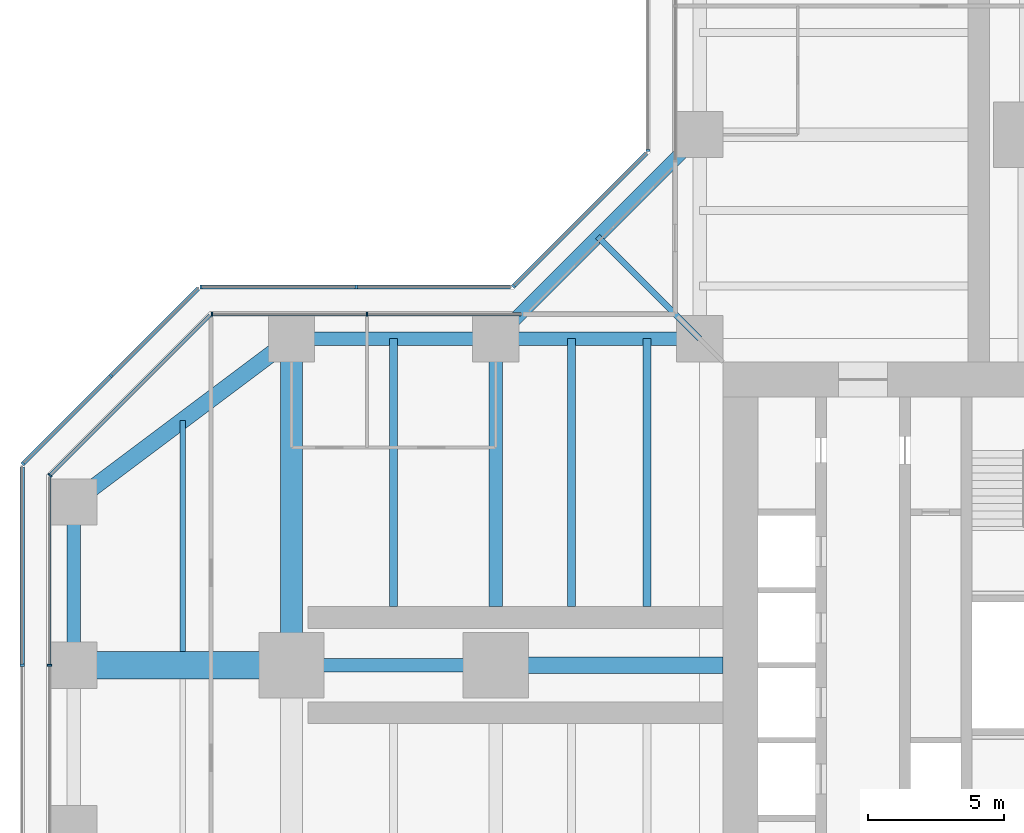
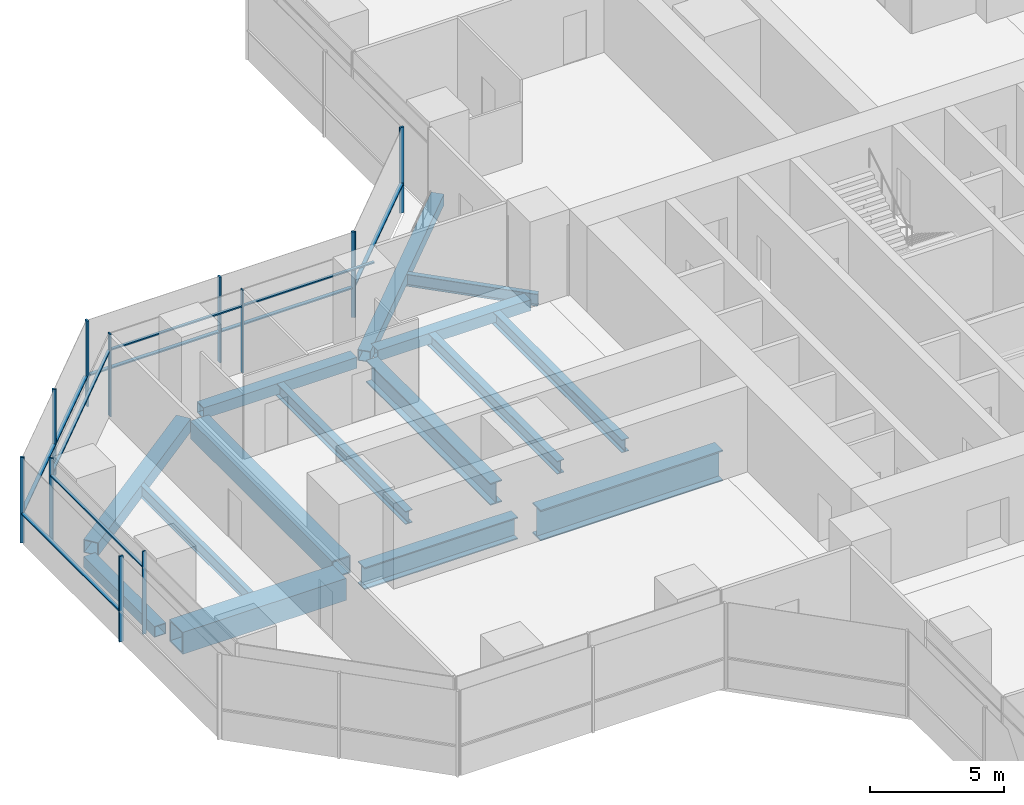
# One storey, part 8 of 22: 21 members, 15 beams, 8 elements without a shape of their own.
"""IFC4 building model written with IfcOpenShell, lengths in metres."""

from ifc_helpers import new_model, si_unit, direction, frame, origin, origin_2d, place, context, subcontext, project, spatial, rectangle, hollow_rectangle, i_section, extrude, material, material_profile, profile_set, type_object, element, aggregate, save


model = new_model("IFC4")

# Units and contexts
model_context = context("Model", 3, precision=1e-05, world=origin(), true_north=direction((0.0, 1.0)))
body_context = subcontext(model_context, "Body", "Model", "MODEL_VIEW")
ifc_project = project(units=[si_unit("LENGTHUNIT", "METRE"), si_unit("AREAUNIT", "SQUARE_METRE"), si_unit("VOLUMEUNIT", "CUBIC_METRE"), si_unit("PLANEANGLEUNIT", "RADIAN"), si_unit("MASSUNIT", "GRAM", prefix="KILO")], contexts=[model_context])

# Site, building, storey
site_placement = place(None, origin())
site = spatial("IfcSite", under=ifc_project, at=site_placement, CompositionType="ELEMENT")
building_placement = place(site_placement, origin())
building = spatial("IfcBuilding", under=site, at=building_placement, Name="Mizan Broadcast Tower", CompositionType="ELEMENT")
storey_placement = place(building_placement, frame((0.0, 0.0, 82.5)))
storey = spatial("IfcBuildingStorey", under=building, at=storey_placement, Name="L17", CompositionType="ELEMENT", Elevation=82.5)

# Beams
ifc_material_1 = material(Name="Steel S355", Category="steel")
ifc_material_profile_1 = material_profile(ifc_material_1, hollow_rectangle(XDim=0.5, YDim=0.5, WallThickness=0.030029296875, at=origin_2d()), Name="BOX 500x500x30")
ifc_profile_set_1 = profile_set([ifc_material_profile_1], Name="Steel S355")
beam_type_1 = type_object("IfcBeamType", Name="EDGE BEAM BOX 500x500x30", PredefinedType="SPANDREL", material=ifc_profile_set_1)
for number, where, z_axis, x_axis, name in (
    (1, (-12.449951171875, 12.0, -0.3798828125), (-1.0, 0.0, 0.0), (0.0, -1.0, 0.0), "Edge beam BOX 500x500x30 L17 west arm"),
    (2, (-19.949951171875, 12.0, -0.3798828125), (-1.0, 0.0, 0.0), (0.0, -1.0, 0.0), "Edge beam BOX 500x500x30 L17 west arm"),
):
    element("IfcBeam", number, at=place(storey_placement, frame(where, z_axis=z_axis, x_axis=x_axis)), inside=storey, type_object=beam_type_1, Name=name, PredefinedType="SPANDREL", context=body_context, shape_type="SweptSolid", body=[
        extrude(hollow_rectangle(XDim=0.5, YDim=0.5, WallThickness=0.030029296875, at=origin_2d()), origin(), (0.0, 0.0, 1.0), 6.60009765625),
    ])
beam_1_placement = place(storey_placement, frame((-35.0, 5.639892578125, -0.3798828125), z_axis=(0.0, -1.0, 0.0), x_axis=(1.0, 0.0, 0.0)))
element("IfcBeam", 3, at=beam_1_placement, inside=storey, type_object=beam_type_1, Name="Edge beam BOX 500x500x30 L17 west arm", PredefinedType="SPANDREL", context=body_context, shape_type="SweptSolid", body=[
    extrude(hollow_rectangle(XDim=0.5, YDim=0.5, WallThickness=0.030029296875, at=origin_2d()), origin(), (0.0, 0.0, 1.0), 5.27978515625),
])
beam_2_placement = place(storey_placement, frame((-12.0, 19.5, -0.3798828125), z_axis=(-0.707106781187, -0.707106781187, 0.0), x_axis=(0.707106781187, -0.707106781187, 0.0)))
element("IfcBeam", 4, at=beam_2_placement, inside=storey, type_object=beam_type_1, Name="Winter garden edge beam L17 N", PredefinedType="SPANDREL", context=body_context, shape_type="SweptSolid", body=[
    extrude(hollow_rectangle(XDim=0.5, YDim=0.5, WallThickness=0.030029296875, at=origin_2d()), origin(), (0.0, 0.0, 1.0), 10.606689453125),
])
ifc_material_2 = material(Name="Steel S355", Category="steel")
ifc_material_profile_2 = material_profile(ifc_material_2, hollow_rectangle(XDim=0.60009765625, YDim=0.60009765625, WallThickness=0.030029296875, at=origin_2d()), Name="BOX 600x600x30")
ifc_profile_set_2 = profile_set([ifc_material_profile_2], Name="Steel S355")
beam_type_2 = type_object("IfcBeamType", Name="EDGE BEAM BOX 600x600x30", PredefinedType="SPANDREL", material=ifc_profile_set_2)
beam_3_placement = place(storey_placement, frame((-27.47998046875, 11.639892578125, -0.429931640625), z_axis=(-0.800013316712, -0.599982243973, 0.0), x_axis=(0.599982243973, -0.800013316712, 0.0)))
element("IfcBeam", 5, at=beam_3_placement, inside=storey, type_object=beam_type_2, Name="Edge beam BOX 600x600x30 L17 west arm", PredefinedType="SPANDREL", context=body_context, shape_type="SweptSolid", body=[
    extrude(hollow_rectangle(XDim=0.60009765625, YDim=0.60009765625, WallThickness=0.030029296875, at=origin_2d()), origin(), (0.0, 0.0, 1.0), 8.7998046875),
])
ifc_material_3 = material(Name="Steel S460", Category="steel")
ifc_material_profile_3 = material_profile(ifc_material_3, hollow_rectangle(XDim=1.0, YDim=1.0, WallThickness=0.06005859375, at=origin_2d()), Name="BOX 1000x1000x60")
ifc_profile_set_3 = profile_set([ifc_material_profile_3], Name="Steel S460")
beam_type_3 = type_object("IfcBeamType", Name="GIRDER BOX 1000x1000x60", PredefinedType="BEAM", material=ifc_profile_set_3)
beam_4_placement = place(storey_placement, frame((-27.47998046875, 0.0, -0.6298828125), z_axis=(-1.0, 0.0, 0.0), x_axis=(0.0, -1.0, 0.0)))
element("IfcBeam", 6, at=beam_4_placement, inside=storey, type_object=beam_type_3, Name="Girder BOX 1000x1000x60 L17 west arm", PredefinedType="BEAM", context=body_context, shape_type="SweptSolid", body=[
    extrude(hollow_rectangle(XDim=1.0, YDim=1.0, WallThickness=0.06005859375, at=origin_2d()), origin(), (0.0, 0.0, 1.0), 7.0400390625),
])
ifc_material_4 = material(Name="Steel S460", Category="steel")
ifc_material_profile_4 = material_profile(ifc_material_4, hollow_rectangle(XDim=0.800048828125, YDim=0.800048828125, WallThickness=0.050048828125, at=origin_2d()), Name="BOX 800x800x50")
ifc_profile_set_4 = profile_set([ifc_material_profile_4], Name="Steel S460")
beam_type_4 = type_object("IfcBeamType", Name="GIRDER BOX 800x800x50", PredefinedType="BEAM", material=ifc_profile_set_4)
beam_5_placement = place(storey_placement, frame((-27.0, 11.280029296875, -0.530029296875), z_axis=(0.0, -1.0, 0.0), x_axis=(1.0, 0.0, 0.0)))
element("IfcBeam", 7, at=beam_5_placement, inside=storey, type_object=beam_type_4, Name="Girder BOX 800x800x50 L17 west arm", PredefinedType="BEAM", context=body_context, shape_type="SweptSolid", body=[
    extrude(hollow_rectangle(XDim=0.800048828125, YDim=0.800048828125, WallThickness=0.050048828125, at=origin_2d()), origin(), (0.0, 0.0, 1.0), 10.56005859375),
])
ifc_material_5 = material(Name="Steel S460", Category="steel")
ifc_material_profile_5 = material_profile(ifc_material_5, i_section(OverallWidth=0.5, OverallDepth=1.0, WebThickness=0.02490234375, FlangeThickness=0.050048828125, at=origin_2d()), Name="WPG 1000x500")
ifc_profile_set_5 = profile_set([ifc_material_profile_5], Name="Steel S460")
beam_type_5 = type_object("IfcBeamType", Name="GIRDER WPG 1000x500", PredefinedType="BEAM", material=ifc_profile_set_5)
beam_6_placement = place(storey_placement, frame((-19.949951171875, 0.0, -0.6298828125), z_axis=(-1.0, 0.0, 0.0), x_axis=(0.0, -1.0, 0.0)))
element("IfcBeam", 8, at=beam_6_placement, inside=storey, type_object=beam_type_5, Name="Girder WPG 1000x500 L17 west arm", PredefinedType="BEAM", context=body_context, shape_type="SweptSolid", body=[
    extrude(i_section(OverallWidth=0.5, OverallDepth=1.0, WebThickness=0.02490234375, FlangeThickness=0.050048828125, at=origin_2d()), origin(), (0.0, 0.0, 1.0), 6.60009765625),
])
beam_7_placement = place(storey_placement, frame((-19.5, 11.408935546875, -0.6298828125), z_axis=(0.0, -1.0, 0.0), x_axis=(1.0, 0.0, 0.0)))
element("IfcBeam", 9, at=beam_7_placement, inside=storey, type_object=beam_type_5, Name="Girder WPG 1000x500 L17 west arm", PredefinedType="BEAM", context=body_context, shape_type="SweptSolid", body=[
    extrude(i_section(OverallWidth=0.5, OverallDepth=1.0, WebThickness=0.02490234375, FlangeThickness=0.050048828125, at=origin_2d()), origin(), (0.0, 0.0, 1.0), 9.259033203125),
])
ifc_material_6 = material(Name="Steel S460", Category="steel")
ifc_material_profile_6 = material_profile(ifc_material_6, i_section(OverallWidth=0.60009765625, OverallDepth=1.39990234375, WebThickness=0.02490234375, FlangeThickness=0.06005859375, at=origin_2d()), Name="WPG 1400x600")
ifc_profile_set_6 = profile_set([ifc_material_profile_6], Name="Steel S460")
beam_type_6 = type_object("IfcBeamType", Name="GIRDER WPG 1400x600", PredefinedType="BEAM", material=ifc_profile_set_6)
beam_8_placement = place(storey_placement, frame((-11.14990234375, 0.0, -0.830078125), z_axis=(-1.0, 0.0, 0.0), x_axis=(0.0, -1.0, 0.0)))
element("IfcBeam", 10, at=beam_8_placement, inside=storey, type_object=beam_type_6, Name="Girder WPG 1400x600 L17 west arm", PredefinedType="BEAM", context=body_context, shape_type="SweptSolid", body=[
    extrude(i_section(OverallWidth=0.60009765625, OverallDepth=1.39990234375, WebThickness=0.02490234375, FlangeThickness=0.06005859375, at=origin_2d()), origin(), (0.0, 0.0, 1.0), 7.84912109375),
])

# Curtain wall, members
ifc_material_7 = material(Name="Aluminium framed glazing", Category="aluminium")
curtain_wall_type_1 = type_object("IfcCurtainWallType", Name="INNER SKIN LOW ZONE", PredefinedType="USERDEFINED", material=ifc_material_7)
curtain_wall_1_placement = place(storey_placement, origin())
curtain_wall_1 = element("IfcCurtainWall", 11, at=curtain_wall_1_placement, inside=storey, type_object=curtain_wall_type_1, Name="Inner skin low zone L17 W side", ObjectType="INNER SKIN LOW ZONE", PredefinedType="USERDEFINED")
ifc_material_8 = material(Name="Aluminium, pale anodised", Category="aluminium")
ifc_material_profile_7 = material_profile(ifc_material_8, rectangle(XDim=0.159912109375, YDim=0.06005859375, at=origin_2d()), Name="MULLION 160x60")
ifc_profile_set_7 = profile_set([ifc_material_profile_7], Name="Aluminium, pale anodised")
member_type_1 = type_object("IfcMemberType", Name="INNER SKIN MULLION 60x160", PredefinedType="MULLION", material=ifc_profile_set_7)
member_1_placement = place(storey_placement, frame((-24.229248046875, 12.89990234375, 0.0), z_axis=(0.0, 0.0, 1.0), x_axis=(0.0, -1.0, 0.0)))
member_1 = element("IfcMember", 12, at=member_1_placement, type_object=member_type_1, Name="Inner skin low zone L17 W side mullion 2", PredefinedType="MULLION", context=body_context, shape_type="SweptSolid", body=[
    extrude(rectangle(XDim=0.159912109375, YDim=0.06005859375, at=origin_2d()), origin(), (0.0, 0.0, 1.0), 3.77001953125),
])
member_2_placement = place(storey_placement, frame((-29.928466796875, 12.89990234375, 0.0), z_axis=(0.0, 0.0, 1.0), x_axis=(0.0, -1.0, 0.0)))
member_2 = element("IfcMember", 13, at=member_2_placement, type_object=member_type_1, Name="Inner skin low zone L17 W side mullion 3", PredefinedType="MULLION", context=body_context, shape_type="SweptSolid", body=[
    extrude(rectangle(XDim=0.159912109375, YDim=0.06005859375, at=origin_2d()), origin(), (0.0, 0.0, 1.0), 3.77001953125),
])

# Curtain wall, member
curtain_wall_2_placement = place(storey_placement, origin())
curtain_wall_2 = element("IfcCurtainWall", 14, at=curtain_wall_2_placement, inside=storey, type_object=curtain_wall_type_1, Name="Inner skin low zone L17 W chamfer", ObjectType="INNER SKIN LOW ZONE", PredefinedType="USERDEFINED")
member_3_placement = place(storey_placement, frame((-35.87890625, 6.979736328125, 0.0), z_axis=(0.0, 0.0, 1.0), x_axis=(0.707106781187, -0.707106781187, 0.0)))
member_3 = element("IfcMember", 15, at=member_3_placement, type_object=member_type_1, Name="Inner skin low zone L17 W chamfer mullion 2", PredefinedType="MULLION", context=body_context, shape_type="SweptSolid", body=[
    extrude(rectangle(XDim=0.159912109375, YDim=0.06005859375, at=origin_2d()), origin(), (0.0, 0.0, 1.0), 3.77001953125),
])

curtain_wall_3_placement = place(storey_placement, origin())
curtain_wall_3 = element("IfcCurtainWall", 16, at=curtain_wall_3_placement, inside=storey, type_object=curtain_wall_type_1, Name="Inner skin low zone L17 W end", ObjectType="INNER SKIN LOW ZONE", PredefinedType="USERDEFINED")
member_4_placement = place(storey_placement, frame((-35.89990234375, 0.0, 0.0), z_axis=(0.0, 0.0, 1.0), x_axis=(1.0, 0.0, 0.0)))
member_4 = element("IfcMember", 17, at=member_4_placement, type_object=member_type_1, Name="Inner skin low zone L17 W end mullion 2", PredefinedType="MULLION", context=body_context, shape_type="SweptSolid", body=[
    extrude(rectangle(XDim=0.159912109375, YDim=0.06005859375, at=origin_2d()), origin(), (0.0, 0.0, 1.0), 3.77001953125),
])

# Member
ifc_material_9 = material(Name="Aluminium, pale anodised", Category="aluminium")
ifc_material_profile_8 = material_profile(ifc_material_9, rectangle(XDim=0.1201171875, YDim=0.06005859375, at=origin_2d()), Name="TRANSOM 120x60")
ifc_profile_set_8 = profile_set([ifc_material_profile_8], Name="Aluminium, pale anodised")
member_type_2 = type_object("IfcMemberType", Name="INNER SKIN TRANSOM 60x120", PredefinedType="USERDEFINED", material=ifc_profile_set_8)
member_5_placement = place(storey_placement, frame((-18.56005859375, 12.89990234375, 3.030029296875), z_axis=(-1.0, 0.0, 0.0), x_axis=(0.0, -1.0, 0.0)))
member_5 = element("IfcMember", 18, at=member_5_placement, type_object=member_type_2, Name="Inner skin low zone L17 W side transom 1.1", ObjectType="TRANSOM", PredefinedType="USERDEFINED", context=body_context, shape_type="SweptSolid", body=[
    extrude(rectangle(XDim=0.1201171875, YDim=0.06005859375, at=origin_2d()), origin(), (0.0, 0.0, 1.0), 5.63916015625),
])

member_6_placement = place(storey_placement, frame((-24.25927734375, 12.89990234375, 3.030029296875), z_axis=(-1.0, 0.0, 0.0), x_axis=(0.0, -1.0, 0.0)))
member_6 = element("IfcMember", 19, at=member_6_placement, type_object=member_type_2, Name="Inner skin low zone L17 W side transom 2.1", ObjectType="TRANSOM", PredefinedType="USERDEFINED", context=body_context, shape_type="SweptSolid", body=[
    extrude(rectangle(XDim=0.1201171875, YDim=0.06005859375, at=origin_2d()), origin(), (0.0, 0.0, 1.0), 5.639404296875),
])

aggregate(curtain_wall_1, [member_1, member_2, member_5, member_6])

member_7_placement = place(storey_placement, frame((-30.0009765625, 12.857666015625, 3.030029296875), z_axis=(-0.707106781187, -0.707106781187, 0.0), x_axis=(0.707106781187, -0.707106781187, 0.0)))
member_7 = element("IfcMember", 20, at=member_7_placement, type_object=member_type_2, Name="Inner skin low zone L17 W chamfer transom 1.1", ObjectType="TRANSOM", PredefinedType="USERDEFINED", context=body_context, shape_type="SweptSolid", body=[
    extrude(rectangle(XDim=0.1201171875, YDim=0.06005859375, at=origin_2d()), origin(), (0.0, 0.0, 1.0), 8.28271484375),
])

aggregate(curtain_wall_2, [member_3, member_7])

member_8_placement = place(storey_placement, frame((-35.89990234375, 6.898681640625, 3.030029296875), z_axis=(0.0, -1.0, 0.0), x_axis=(1.0, 0.0, 0.0)))
member_8 = element("IfcMember", 21, at=member_8_placement, type_object=member_type_2, Name="Inner skin low zone L17 W end transom 1.1", ObjectType="TRANSOM", PredefinedType="USERDEFINED", context=body_context, shape_type="SweptSolid", body=[
    extrude(rectangle(XDim=0.1201171875, YDim=0.06005859375, at=origin_2d()), origin(), (0.0, 0.0, 1.0), 6.86865234375),
])

aggregate(curtain_wall_3, [member_4, member_8])

# Curtain wall, member
ifc_material_10 = material(Name="Aluminium framed glazing", Category="aluminium")
curtain_wall_type_2 = type_object("IfcCurtainWallType", Name="OUTER SKIN", PredefinedType="USERDEFINED", material=ifc_material_10)
curtain_wall_4_placement = place(storey_placement, origin())
curtain_wall_4 = element("IfcCurtainWall", 22, at=curtain_wall_4_placement, inside=storey, type_object=curtain_wall_type_2, Name="Outer skin L17 N side", ObjectType="OUTER SKIN", PredefinedType="USERDEFINED")
ifc_material_11 = material(Name="Aluminium, pale anodised", Category="aluminium")
ifc_material_profile_9 = material_profile(ifc_material_11, rectangle(XDim=0.159912109375, YDim=0.080078125, at=origin_2d()), Name="MULLION 160x80")
ifc_profile_set_9 = profile_set([ifc_material_profile_9], Name="Aluminium, pale anodised")
member_type_3 = type_object("IfcMemberType", Name="OUTER SKIN MULLION 80x160", PredefinedType="MULLION", material=ifc_profile_set_9)
member_9_placement = place(storey_placement, frame((-13.89990234375, 18.912841796875, 0.0), z_axis=(0.0, 0.0, 1.0), x_axis=(1.0, 0.0, 0.0)))
member_9 = element("IfcMember", 23, at=member_9_placement, type_object=member_type_3, Name="Outer skin L17 N side mullion 3", PredefinedType="MULLION", context=body_context, shape_type="SweptSolid", body=[
    extrude(rectangle(XDim=0.159912109375, YDim=0.080078125, at=origin_2d()), origin(), (0.0, 0.0, 1.0), 3.89990234375),
])
aggregate(curtain_wall_4, [member_9])

curtain_wall_5_placement = place(storey_placement, origin())
curtain_wall_5 = element("IfcCurtainWall", 24, at=curtain_wall_5_placement, inside=storey, type_object=curtain_wall_type_2, Name="Outer skin L17 W chamfer", ObjectType="OUTER SKIN", PredefinedType="USERDEFINED")
member_10_placement = place(storey_placement, frame((-18.844482421875, 13.92822265625, 0.0), z_axis=(0.0, 0.0, 1.0), x_axis=(0.707106781187, -0.707106781187, 0.0)))
member_10 = element("IfcMember", 25, at=member_10_placement, type_object=member_type_3, Name="Outer skin L17 W chamfer mullion 2", PredefinedType="MULLION", context=body_context, shape_type="SweptSolid", body=[
    extrude(rectangle(XDim=0.159912109375, YDim=0.080078125, at=origin_2d()), origin(), (0.0, 0.0, 1.0), 3.89990234375),
])

# Curtain wall, members
curtain_wall_6_placement = place(storey_placement, origin())
curtain_wall_6 = element("IfcCurtainWall", 26, at=curtain_wall_6_placement, inside=storey, type_object=curtain_wall_type_2, Name="Outer skin L17 W side", ObjectType="OUTER SKIN", PredefinedType="USERDEFINED")
member_11_placement = place(storey_placement, frame((-24.622802734375, 13.89990234375, 0.0), z_axis=(0.0, 0.0, 1.0), x_axis=(0.0, -1.0, 0.0)))
member_11 = element("IfcMember", 27, at=member_11_placement, type_object=member_type_3, Name="Outer skin L17 W side mullion 2", PredefinedType="MULLION", context=body_context, shape_type="SweptSolid", body=[
    extrude(rectangle(XDim=0.159912109375, YDim=0.080078125, at=origin_2d()), origin(), (0.0, 0.0, 1.0), 3.89990234375),
])
member_12_placement = place(storey_placement, frame((-30.332763671875, 13.89990234375, 0.0), z_axis=(0.0, 0.0, 1.0), x_axis=(0.0, -1.0, 0.0)))
member_12 = element("IfcMember", 28, at=member_12_placement, type_object=member_type_3, Name="Outer skin L17 W side mullion 3", PredefinedType="MULLION", context=body_context, shape_type="SweptSolid", body=[
    extrude(rectangle(XDim=0.159912109375, YDim=0.080078125, at=origin_2d()), origin(), (0.0, 0.0, 1.0), 3.89990234375),
])

curtain_wall_7_placement = place(storey_placement, origin())
curtain_wall_7 = element("IfcCurtainWall", 29, at=curtain_wall_7_placement, inside=storey, type_object=curtain_wall_type_2, Name="Outer skin L17 W chamfer", ObjectType="OUTER SKIN", PredefinedType="USERDEFINED")
member_13_placement = place(storey_placement, frame((-33.636474609375, 10.636474609375, 0.0), z_axis=(0.0, 0.0, 1.0), x_axis=(0.707106781187, -0.707106781187, 0.0)))
member_13 = element("IfcMember", 30, at=member_13_placement, type_object=member_type_3, Name="Outer skin L17 W chamfer mullion 2", PredefinedType="MULLION", context=body_context, shape_type="SweptSolid", body=[
    extrude(rectangle(XDim=0.159912109375, YDim=0.080078125, at=origin_2d()), origin(), (0.0, 0.0, 1.0), 3.89990234375),
])
member_14_placement = place(storey_placement, frame((-36.871826171875, 7.401123046875, 0.0), z_axis=(0.0, 0.0, 1.0), x_axis=(0.707106781187, -0.707106781187, 0.0)))
member_14 = element("IfcMember", 31, at=member_14_placement, type_object=member_type_3, Name="Outer skin L17 W chamfer mullion 3", PredefinedType="MULLION", context=body_context, shape_type="SweptSolid", body=[
    extrude(rectangle(XDim=0.159912109375, YDim=0.080078125, at=origin_2d()), origin(), (0.0, 0.0, 1.0), 3.89990234375),
])

# Curtain wall, member
curtain_wall_8_placement = place(storey_placement, origin())
curtain_wall_8 = element("IfcCurtainWall", 32, at=curtain_wall_8_placement, inside=storey, type_object=curtain_wall_type_2, Name="Outer skin L17 W end", ObjectType="OUTER SKIN", PredefinedType="USERDEFINED")
member_15_placement = place(storey_placement, frame((-36.89990234375, 0.0, 0.0), z_axis=(0.0, 0.0, 1.0), x_axis=(1.0, 0.0, 0.0)))
member_15 = element("IfcMember", 33, at=member_15_placement, type_object=member_type_3, Name="Outer skin L17 W end mullion 2", PredefinedType="MULLION", context=body_context, shape_type="SweptSolid", body=[
    extrude(rectangle(XDim=0.159912109375, YDim=0.080078125, at=origin_2d()), origin(), (0.0, 0.0, 1.0), 3.89990234375),
])

# Member
ifc_material_12 = material(Name="Aluminium, pale anodised", Category="aluminium")
ifc_material_profile_10 = material_profile(ifc_material_12, rectangle(XDim=0.159912109375, YDim=0.06005859375, at=origin_2d()), Name="TRANSOM 160x60")
ifc_profile_set_10 = profile_set([ifc_material_profile_10], Name="Aluminium, pale anodised")
member_type_4 = type_object("IfcMemberType", Name="OUTER SKIN TRANSOM 60x160", PredefinedType="USERDEFINED", material=ifc_profile_set_10)
member_16_placement = place(storey_placement, frame((-13.95654296875, 18.816162109375, 1.39990234375), z_axis=(-0.707106781187, -0.707106781187, 0.0), x_axis=(0.707106781187, -0.707106781187, 0.0)))
member_16 = element("IfcMember", 34, at=member_16_placement, type_object=member_type_4, Name="Outer skin L17 W chamfer transom 1.1", ObjectType="TRANSOM", PredefinedType="USERDEFINED", context=body_context, shape_type="SweptSolid", body=[
    extrude(rectangle(XDim=0.159912109375, YDim=0.06005859375, at=origin_2d()), origin(), (0.0, 0.0, 1.0), 6.87255859375),
])

aggregate(curtain_wall_5, [member_10, member_16])

member_17_placement = place(storey_placement, frame((-18.952880859375, 13.89990234375, 1.39990234375), z_axis=(-1.0, 0.0, 0.0), x_axis=(0.0, -1.0, 0.0)))
member_17 = element("IfcMember", 35, at=member_17_placement, type_object=member_type_4, Name="Outer skin L17 W side transom 1.1", ObjectType="TRANSOM", PredefinedType="USERDEFINED", context=body_context, shape_type="SweptSolid", body=[
    extrude(rectangle(XDim=0.159912109375, YDim=0.06005859375, at=origin_2d()), origin(), (0.0, 0.0, 1.0), 5.6298828125),
])

member_18_placement = place(storey_placement, frame((-24.662841796875, 13.89990234375, 1.39990234375), z_axis=(-1.0, 0.0, 0.0), x_axis=(0.0, -1.0, 0.0)))
member_18 = element("IfcMember", 36, at=member_18_placement, type_object=member_type_4, Name="Outer skin L17 W side transom 2.1", ObjectType="TRANSOM", PredefinedType="USERDEFINED", context=body_context, shape_type="SweptSolid", body=[
    extrude(rectangle(XDim=0.159912109375, YDim=0.06005859375, at=origin_2d()), origin(), (0.0, 0.0, 1.0), 5.6298828125),
])

aggregate(curtain_wall_6, [member_11, member_12, member_17, member_18])

member_19_placement = place(storey_placement, frame((-30.429443359375, 13.843505859375, 1.39990234375), z_axis=(-0.707106781187, -0.707106781187, 0.0), x_axis=(0.707106781187, -0.707106781187, 0.0)))
member_19 = element("IfcMember", 37, at=member_19_placement, type_object=member_type_4, Name="Outer skin L17 W chamfer transom 1.1", ObjectType="TRANSOM", PredefinedType="USERDEFINED", context=body_context, shape_type="SweptSolid", body=[
    extrude(rectangle(XDim=0.159912109375, YDim=0.06005859375, at=origin_2d()), origin(), (0.0, 0.0, 1.0), 4.495361328125),
])

member_20_placement = place(storey_placement, frame((-33.664794921875, 10.608154296875, 1.39990234375), z_axis=(-0.707106781187, -0.707106781187, 0.0), x_axis=(0.707106781187, -0.707106781187, 0.0)))
member_20 = element("IfcMember", 38, at=member_20_placement, type_object=member_type_4, Name="Outer skin L17 W chamfer transom 2.1", ObjectType="TRANSOM", PredefinedType="USERDEFINED", context=body_context, shape_type="SweptSolid", body=[
    extrude(rectangle(XDim=0.159912109375, YDim=0.06005859375, at=origin_2d()), origin(), (0.0, 0.0, 1.0), 4.495361328125),
])

aggregate(curtain_wall_7, [member_13, member_14, member_19, member_20])

member_21_placement = place(storey_placement, frame((-36.89990234375, 7.292724609375, 1.39990234375), z_axis=(0.0, -1.0, 0.0), x_axis=(1.0, 0.0, 0.0)))
member_21 = element("IfcMember", 39, at=member_21_placement, type_object=member_type_4, Name="Outer skin L17 W end transom 1.1", ObjectType="TRANSOM", PredefinedType="USERDEFINED", context=body_context, shape_type="SweptSolid", body=[
    extrude(rectangle(XDim=0.159912109375, YDim=0.06005859375, at=origin_2d()), origin(), (0.0, 0.0, 1.0), 7.252685546875),
])

aggregate(curtain_wall_8, [member_15, member_21])

# Beams
ifc_material_13 = material(Name="Steel S355", Category="steel")
ifc_material_profile_11 = material_profile(ifc_material_13, i_section(OverallWidth=0.300048828125, OverallDepth=0.590087890625, WebThickness=0.012939453125, FlangeThickness=0.02490234375, FilletRadius=0.027099609375, at=origin_2d()), Name="HEA 600")
ifc_profile_set_11 = profile_set([ifc_material_profile_11], Name="Steel S355")
beam_type_7 = type_object("IfcBeamType", Name="SECONDARY BEAM HEA 600", PredefinedType="JOIST", material=ifc_profile_set_11)
for number, where, z_axis, x_axis, name in (
    (40, (-13.933349609375, 12.0, -0.425048828125), (0.0, -1.0, 0.0), (1.0, 0.0, 0.0), "Secondary beam HEA 600 L17 west arm"),
    (41, (-16.716552734375, 12.0, -0.425048828125), (0.0, -1.0, 0.0), (1.0, 0.0, 0.0), "Secondary beam HEA 600 L17 west arm"),
    (42, (-23.25, 12.0, -0.425048828125), (0.0, -1.0, 0.0), (1.0, 0.0, 0.0), "Secondary beam HEA 600 L17 west arm"),
):
    element("IfcBeam", number, at=place(storey_placement, frame(where, z_axis=z_axis, x_axis=x_axis)), inside=storey, type_object=beam_type_7, Name=name, PredefinedType="JOIST", context=body_context, shape_type="SweptSolid", body=[
        extrude(i_section(OverallWidth=0.300048828125, OverallDepth=0.590087890625, WebThickness=0.012939453125, FlangeThickness=0.02490234375, FilletRadius=0.027099609375, at=origin_2d()), origin(), (0.0, 0.0, 1.0), 9.85009765625),
    ])
ifc_material_14 = material(Name="Steel S355", Category="steel")
ifc_material_profile_12 = material_profile(ifc_material_14, i_section(OverallWidth=0.2099609375, OverallDepth=0.550048828125, WebThickness=0.010986328125, FlangeThickness=0.01708984375, FilletRadius=0.02392578125, at=origin_2d()), Name="IPE 550")
ifc_profile_set_12 = profile_set([ifc_material_profile_12], Name="Steel S355")
beam_type_8 = type_object("IfcBeamType", Name="SECONDARY BEAM IPE 550", PredefinedType="JOIST", material=ifc_profile_set_12)
beam_9_placement = place(storey_placement, frame((-31.0, 9.0, -0.405029296875), z_axis=(0.0, -1.0, 0.0), x_axis=(1.0, 0.0, 0.0)))
element("IfcBeam", 43, at=beam_9_placement, inside=storey, type_object=beam_type_8, Name="Secondary beam IPE 550 L17 west arm", PredefinedType="JOIST", context=body_context, shape_type="SweptSolid", body=[
    extrude(i_section(OverallWidth=0.2099609375, OverallDepth=0.550048828125, WebThickness=0.010986328125, FlangeThickness=0.01708984375, FilletRadius=0.02392578125, at=origin_2d()), origin(), (0.0, 0.0, 1.0), 8.5),
])
beam_10_placement = place(storey_placement, frame((-12.0, 12.0, -0.405029296875), z_axis=(-0.707106781187, 0.707106781187, 0.0), x_axis=(-0.707106781187, -0.707106781187, 0.0)))
element("IfcBeam", 44, at=beam_10_placement, inside=storey, type_object=beam_type_8, Name="Winter garden beam L17 N", PredefinedType="JOIST", context=body_context, shape_type="SweptSolid", body=[
    extrude(i_section(OverallWidth=0.2099609375, OverallDepth=0.550048828125, WebThickness=0.010986328125, FlangeThickness=0.01708984375, FilletRadius=0.02392578125, at=origin_2d()), origin(), (0.0, 0.0, 1.0), 5.30322265625),
])

save(model, "model.ifc")
